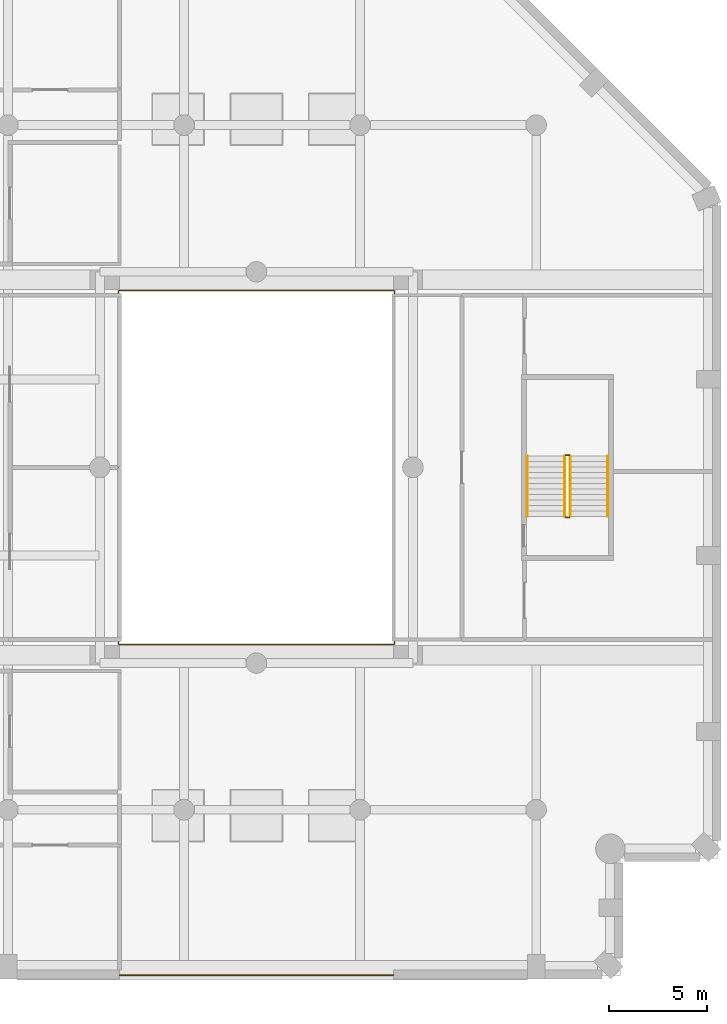
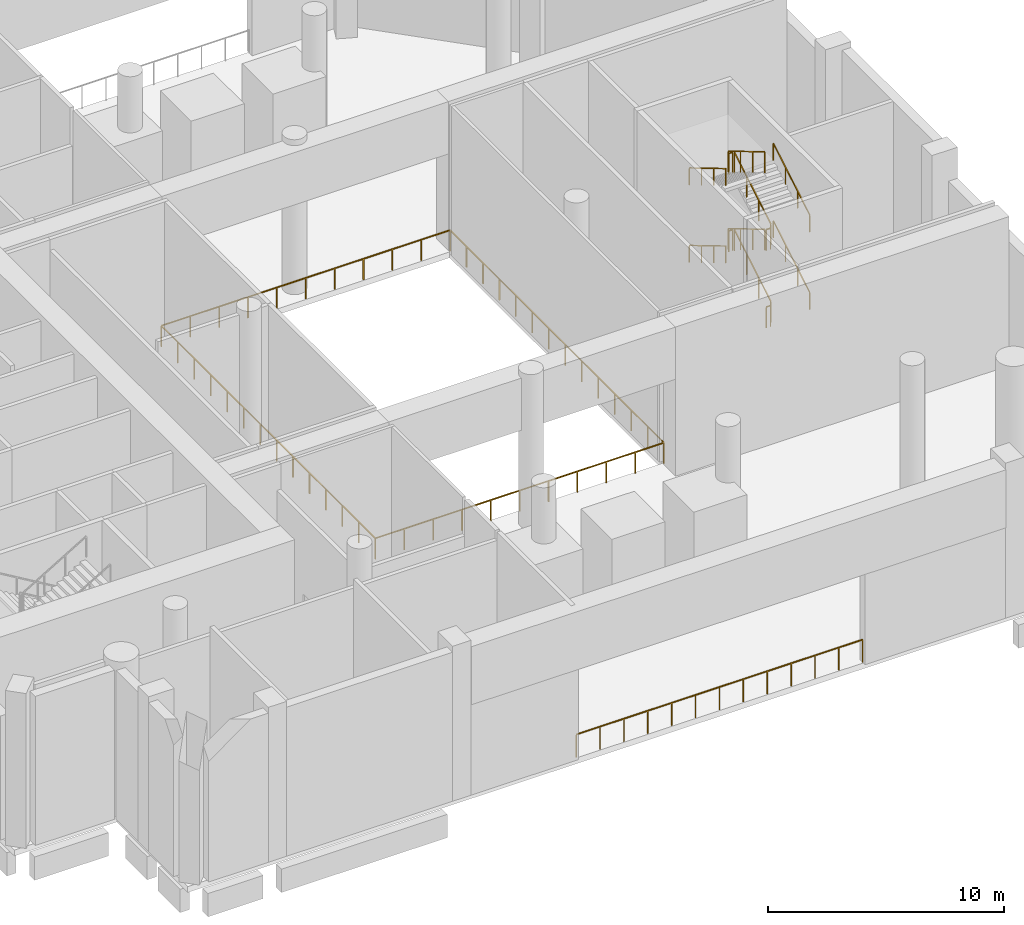
# One storey, part 12 of 14: 14 railings.
"""IFC4 building model written with IfcOpenShell, lengths in metres."""

from ifc_helpers import new_model, si_unit, direction, frame, origin, origin_2d, place, context, subcontext, project, spatial, rectangle, extrude, material, type_object, element, save


model = new_model("IFC4")

# Units and contexts
model_context = context("Model", 3, precision=1e-05, world=origin(), true_north=direction((0.0, 1.0)))
body_context = subcontext(model_context, "Body", "Model", "MODEL_VIEW")
ifc_project = project(units=[si_unit("LENGTHUNIT", "METRE"), si_unit("AREAUNIT", "SQUARE_METRE"), si_unit("VOLUMEUNIT", "CUBIC_METRE"), si_unit("PLANEANGLEUNIT", "RADIAN"), si_unit("MASSUNIT", "GRAM", prefix="KILO")], contexts=[model_context])

# Site, building, storey
site_placement = place(None, origin())
site = spatial("IfcSite", under=ifc_project, at=site_placement, CompositionType="ELEMENT")
building_placement = place(site_placement, origin())
building = spatial("IfcBuilding", under=site, at=building_placement, Name="Cypress Arch Tower", CompositionType="ELEMENT")
storey_placement = place(building_placement, frame((0.0, 0.0, 152.5)))
storey = spatial("IfcBuildingStorey", under=building, at=storey_placement, Name="L33", CompositionType="ELEMENT", Elevation=152.5)

# Railings
ifc_material_1 = material(Name="Stainless steel posts and handrail, laminated glass infill", Category="steel")
railing_type_1 = type_object("IfcRailingType", Name="Atrium guard GR1100A", PredefinedType="GUARDRAIL", material=ifc_material_1)
railing_1_placement = place(storey_placement, frame((8.050048828125, -9.050048828125, 0.0)))
element("IfcRailing", 1, at=railing_1_placement, inside=storey, type_object=railing_type_1, Name="Atrium guard L33", PredefinedType="GUARDRAIL", context=body_context, shape_type="SweptSolid", body=[
    extrude(rectangle(XDim=0.050048828125, YDim=0.050048828125, at=origin_2d()), frame((0.0, 0.0, 1.0751953125), z_axis=(-1.0, 0.0, 0.0), x_axis=(0.0, -1.0, 0.0)), (0.0, 0.0, 1.0), 14.10009765625),
    extrude(rectangle(XDim=0.050048828125, YDim=0.050048828125, at=origin_2d()), frame((-14.10009765625, 0.0, 1.0751953125), z_axis=(0.0, 1.0, 0.0), x_axis=(-1.0, 0.0, 0.0)), (0.0, 0.0, 1.0), 18.10009765625),
    extrude(rectangle(XDim=0.050048828125, YDim=0.050048828125, at=origin_2d()), frame((-14.10009765625, 18.10009765625, 1.0751953125), z_axis=(1.0, 0.0, 0.0), x_axis=(0.0, 1.0, 0.0)), (0.0, 0.0, 1.0), 14.10009765625),
    extrude(rectangle(XDim=0.050048828125, YDim=0.050048828125, at=origin_2d()), frame((0.0, 18.10009765625, 1.0751953125), z_axis=(0.0, -1.0, 0.0), x_axis=(1.0, 0.0, 0.0)), (0.0, 0.0, 1.0), 18.10009765625),
    extrude(rectangle(XDim=0.050048828125, YDim=0.050048828125, at=origin_2d()), origin(), (0.0, 0.0, 1.0), 1.050048828125),
    extrude(rectangle(XDim=0.050048828125, YDim=0.050048828125, at=origin_2d()), frame((-1.409912109375, 0.0, 0.0)), (0.0, 0.0, 1.0), 1.050048828125),
    extrude(rectangle(XDim=0.050048828125, YDim=0.050048828125, at=origin_2d()), frame((-2.820068359375, 0.0, 0.0)), (0.0, 0.0, 1.0), 1.050048828125),
    extrude(rectangle(XDim=0.050048828125, YDim=0.050048828125, at=origin_2d()), frame((-4.22998046875, 0.0, 0.0)), (0.0, 0.0, 1.0), 1.050048828125),
    extrude(rectangle(XDim=0.050048828125, YDim=0.050048828125, at=origin_2d()), frame((-5.64013671875, 0.0, 0.0)), (0.0, 0.0, 1.0), 1.050048828125),
    extrude(rectangle(XDim=0.050048828125, YDim=0.050048828125, at=origin_2d()), frame((-7.050048828125, 0.0, 0.0)), (0.0, 0.0, 1.0), 1.050048828125),
    extrude(rectangle(XDim=0.050048828125, YDim=0.050048828125, at=origin_2d()), frame((-8.4599609375, 0.0, 0.0)), (0.0, 0.0, 1.0), 1.050048828125),
    extrude(rectangle(XDim=0.050048828125, YDim=0.050048828125, at=origin_2d()), frame((-9.8701171875, 0.0, 0.0)), (0.0, 0.0, 1.0), 1.050048828125),
    extrude(rectangle(XDim=0.050048828125, YDim=0.050048828125, at=origin_2d()), frame((-11.280029296875, 0.0, 0.0)), (0.0, 0.0, 1.0), 1.050048828125),
    extrude(rectangle(XDim=0.050048828125, YDim=0.050048828125, at=origin_2d()), frame((-12.690185546875, 0.0, 0.0)), (0.0, 0.0, 1.0), 1.050048828125),
    extrude(rectangle(XDim=0.050048828125, YDim=0.050048828125, at=origin_2d()), frame((-14.10009765625, 0.0, 0.0)), (0.0, 0.0, 1.0), 1.050048828125),
    extrude(rectangle(XDim=0.050048828125, YDim=0.050048828125, at=origin_2d()), frame((-14.10009765625, 1.392333984375, 0.0)), (0.0, 0.0, 1.0), 1.050048828125),
    extrude(rectangle(XDim=0.050048828125, YDim=0.050048828125, at=origin_2d()), frame((-14.10009765625, 2.78466796875, 0.0)), (0.0, 0.0, 1.0), 1.050048828125),
    extrude(rectangle(XDim=0.050048828125, YDim=0.050048828125, at=origin_2d()), frame((-14.10009765625, 4.177001953125, 0.0)), (0.0, 0.0, 1.0), 1.050048828125),
    extrude(rectangle(XDim=0.050048828125, YDim=0.050048828125, at=origin_2d()), frame((-14.10009765625, 5.5693359375, 0.0)), (0.0, 0.0, 1.0), 1.050048828125),
    extrude(rectangle(XDim=0.050048828125, YDim=0.050048828125, at=origin_2d()), frame((-14.10009765625, 6.961669921875, 0.0)), (0.0, 0.0, 1.0), 1.050048828125),
    extrude(rectangle(XDim=0.050048828125, YDim=0.050048828125, at=origin_2d()), frame((-14.10009765625, 8.35400390625, 0.0)), (0.0, 0.0, 1.0), 1.050048828125),
    extrude(rectangle(XDim=0.050048828125, YDim=0.050048828125, at=origin_2d()), frame((-14.10009765625, 9.74609375, 0.0)), (0.0, 0.0, 1.0), 1.050048828125),
    extrude(rectangle(XDim=0.050048828125, YDim=0.050048828125, at=origin_2d()), frame((-14.10009765625, 11.138427734375, 0.0)), (0.0, 0.0, 1.0), 1.050048828125),
    extrude(rectangle(XDim=0.050048828125, YDim=0.050048828125, at=origin_2d()), frame((-14.10009765625, 12.53076171875, 0.0)), (0.0, 0.0, 1.0), 1.050048828125),
    extrude(rectangle(XDim=0.050048828125, YDim=0.050048828125, at=origin_2d()), frame((-14.10009765625, 13.923095703125, 0.0)), (0.0, 0.0, 1.0), 1.050048828125),
    extrude(rectangle(XDim=0.050048828125, YDim=0.050048828125, at=origin_2d()), frame((-14.10009765625, 15.3154296875, 0.0)), (0.0, 0.0, 1.0), 1.050048828125),
    extrude(rectangle(XDim=0.050048828125, YDim=0.050048828125, at=origin_2d()), frame((-14.10009765625, 16.707763671875, 0.0)), (0.0, 0.0, 1.0), 1.050048828125),
    extrude(rectangle(XDim=0.050048828125, YDim=0.050048828125, at=origin_2d()), frame((-14.10009765625, 18.10009765625, 0.0)), (0.0, 0.0, 1.0), 1.050048828125),
    extrude(rectangle(XDim=0.050048828125, YDim=0.050048828125, at=origin_2d()), frame((-12.690185546875, 18.10009765625, 0.0)), (0.0, 0.0, 1.0), 1.050048828125),
    extrude(rectangle(XDim=0.050048828125, YDim=0.050048828125, at=origin_2d()), frame((-11.280029296875, 18.10009765625, 0.0)), (0.0, 0.0, 1.0), 1.050048828125),
    extrude(rectangle(XDim=0.050048828125, YDim=0.050048828125, at=origin_2d()), frame((-9.8701171875, 18.10009765625, 0.0)), (0.0, 0.0, 1.0), 1.050048828125),
    extrude(rectangle(XDim=0.050048828125, YDim=0.050048828125, at=origin_2d()), frame((-8.4599609375, 18.10009765625, 0.0)), (0.0, 0.0, 1.0), 1.050048828125),
    extrude(rectangle(XDim=0.050048828125, YDim=0.050048828125, at=origin_2d()), frame((-7.050048828125, 18.10009765625, 0.0)), (0.0, 0.0, 1.0), 1.050048828125),
    extrude(rectangle(XDim=0.050048828125, YDim=0.050048828125, at=origin_2d()), frame((-5.64013671875, 18.10009765625, 0.0)), (0.0, 0.0, 1.0), 1.050048828125),
    extrude(rectangle(XDim=0.050048828125, YDim=0.050048828125, at=origin_2d()), frame((-4.22998046875, 18.10009765625, 0.0)), (0.0, 0.0, 1.0), 1.050048828125),
    extrude(rectangle(XDim=0.050048828125, YDim=0.050048828125, at=origin_2d()), frame((-2.820068359375, 18.10009765625, 0.0)), (0.0, 0.0, 1.0), 1.050048828125),
    extrude(rectangle(XDim=0.050048828125, YDim=0.050048828125, at=origin_2d()), frame((-1.409912109375, 18.10009765625, 0.0)), (0.0, 0.0, 1.0), 1.050048828125),
    extrude(rectangle(XDim=0.050048828125, YDim=0.050048828125, at=origin_2d()), frame((0.0, 18.10009765625, 0.0)), (0.0, 0.0, 1.0), 1.050048828125),
    extrude(rectangle(XDim=0.050048828125, YDim=0.050048828125, at=origin_2d()), frame((0.0, 16.707763671875, 0.0)), (0.0, 0.0, 1.0), 1.050048828125),
    extrude(rectangle(XDim=0.050048828125, YDim=0.050048828125, at=origin_2d()), frame((0.0, 15.3154296875, 0.0)), (0.0, 0.0, 1.0), 1.050048828125),
    extrude(rectangle(XDim=0.050048828125, YDim=0.050048828125, at=origin_2d()), frame((0.0, 13.923095703125, 0.0)), (0.0, 0.0, 1.0), 1.050048828125),
    extrude(rectangle(XDim=0.050048828125, YDim=0.050048828125, at=origin_2d()), frame((0.0, 12.53076171875, 0.0)), (0.0, 0.0, 1.0), 1.050048828125),
    extrude(rectangle(XDim=0.050048828125, YDim=0.050048828125, at=origin_2d()), frame((0.0, 11.138427734375, 0.0)), (0.0, 0.0, 1.0), 1.050048828125),
    extrude(rectangle(XDim=0.050048828125, YDim=0.050048828125, at=origin_2d()), frame((0.0, 9.74609375, 0.0)), (0.0, 0.0, 1.0), 1.050048828125),
    extrude(rectangle(XDim=0.050048828125, YDim=0.050048828125, at=origin_2d()), frame((0.0, 8.35400390625, 0.0)), (0.0, 0.0, 1.0), 1.050048828125),
    extrude(rectangle(XDim=0.050048828125, YDim=0.050048828125, at=origin_2d()), frame((0.0, 6.961669921875, 0.0)), (0.0, 0.0, 1.0), 1.050048828125),
    extrude(rectangle(XDim=0.050048828125, YDim=0.050048828125, at=origin_2d()), frame((0.0, 5.5693359375, 0.0)), (0.0, 0.0, 1.0), 1.050048828125),
    extrude(rectangle(XDim=0.050048828125, YDim=0.050048828125, at=origin_2d()), frame((0.0, 4.177001953125, 0.0)), (0.0, 0.0, 1.0), 1.050048828125),
    extrude(rectangle(XDim=0.050048828125, YDim=0.050048828125, at=origin_2d()), frame((0.0, 2.78466796875, 0.0)), (0.0, 0.0, 1.0), 1.050048828125),
    extrude(rectangle(XDim=0.050048828125, YDim=0.050048828125, at=origin_2d()), frame((0.0, 1.392333984375, 0.0)), (0.0, 0.0, 1.0), 1.050048828125),
])
ifc_material_2 = material(Name="Powder-coated steel posts and rods, 100 mm clear between rods", Category="steel")
railing_type_2 = type_object("IfcRailingType", Name="Slot guard GR1200", PredefinedType="GUARDRAIL", material=ifc_material_2)
railing_2_placement = place(storey_placement, frame((-6.0, -25.949951171875, 0.0)))
element("IfcRailing", 2, at=railing_2_placement, inside=storey, type_object=railing_type_2, Name="Slot guard L33 S", PredefinedType="GUARDRAIL", context=body_context, shape_type="SweptSolid", body=[
    extrude(rectangle(XDim=0.050048828125, YDim=0.050048828125, at=origin_2d()), frame((0.0, 0.0, 1.1748046875), z_axis=(1.0, 0.0, 0.0), x_axis=(0.0, 1.0, 0.0)), (0.0, 0.0, 1.0), 14.0),
    extrude(rectangle(XDim=0.0400390625, YDim=0.0400390625, at=origin_2d()), origin(), (0.0, 0.0, 1.0), 1.14990234375),
    extrude(rectangle(XDim=0.0400390625, YDim=0.0400390625, at=origin_2d()), frame((1.166748046875, 0.0, 0.0)), (0.0, 0.0, 1.0), 1.14990234375),
    extrude(rectangle(XDim=0.0400390625, YDim=0.0400390625, at=origin_2d()), frame((2.333251953125, 0.0, 0.0)), (0.0, 0.0, 1.0), 1.14990234375),
    extrude(rectangle(XDim=0.0400390625, YDim=0.0400390625, at=origin_2d()), frame((3.5, 0.0, 0.0)), (0.0, 0.0, 1.0), 1.14990234375),
    extrude(rectangle(XDim=0.0400390625, YDim=0.0400390625, at=origin_2d()), frame((4.666748046875, 0.0, 0.0)), (0.0, 0.0, 1.0), 1.14990234375),
    extrude(rectangle(XDim=0.0400390625, YDim=0.0400390625, at=origin_2d()), frame((5.833251953125, 0.0, 0.0)), (0.0, 0.0, 1.0), 1.14990234375),
    extrude(rectangle(XDim=0.0400390625, YDim=0.0400390625, at=origin_2d()), frame((7.0, 0.0, 0.0)), (0.0, 0.0, 1.0), 1.14990234375),
    extrude(rectangle(XDim=0.0400390625, YDim=0.0400390625, at=origin_2d()), frame((8.166748046875, 0.0, 0.0)), (0.0, 0.0, 1.0), 1.14990234375),
    extrude(rectangle(XDim=0.0400390625, YDim=0.0400390625, at=origin_2d()), frame((9.333251953125, 0.0, 0.0)), (0.0, 0.0, 1.0), 1.14990234375),
    extrude(rectangle(XDim=0.0400390625, YDim=0.0400390625, at=origin_2d()), frame((10.5, 0.0, 0.0)), (0.0, 0.0, 1.0), 1.14990234375),
    extrude(rectangle(XDim=0.0400390625, YDim=0.0400390625, at=origin_2d()), frame((11.666748046875, 0.0, 0.0)), (0.0, 0.0, 1.0), 1.14990234375),
    extrude(rectangle(XDim=0.0400390625, YDim=0.0400390625, at=origin_2d()), frame((12.833251953125, 0.0, 0.0)), (0.0, 0.0, 1.0), 1.14990234375),
    extrude(rectangle(XDim=0.0400390625, YDim=0.0400390625, at=origin_2d()), frame((14.0, 0.0, 0.0)), (0.0, 0.0, 1.0), 1.14990234375),
])
ifc_material_3 = material(Name="Black powder-coated steel square bar 48 mm", Category="steel")
railing_type_3 = type_object("IfcRailingType", Name="Stair handrail HR1", PredefinedType="HANDRAIL", material=ifc_material_3)
railing_3_placement = place(storey_placement, frame((18.949951171875, -2.5, 0.166748046875)))
element("IfcRailing", 3, at=railing_3_placement, inside=storey, type_object=railing_type_3, Name="L33 C stair handrail 1", PredefinedType="HANDRAIL", context=body_context, shape_type="SweptSolid", body=[
    extrude(rectangle(XDim=0.048095703125, YDim=0.048095703125, at=origin_2d()), frame((0.0, 0.0, 0.8759765625), z_axis=(0.0, 0.859308565015, 0.511457515432), x_axis=(-1.0, 0.0, 0.0)), (0.0, 0.0, 1.0), 3.58447265625),
    extrude(rectangle(XDim=0.0419921875, YDim=0.0419921875, at=origin_2d()), origin(), (0.0, 0.0, 1.0), 0.851806640625),
    extrude(rectangle(XDim=0.0419921875, YDim=0.0419921875, at=origin_2d()), frame((0.0, 1.026611328125, 0.611083984375)), (0.0, 0.0, 1.0), 0.851806640625),
    extrude(rectangle(XDim=0.0419921875, YDim=0.0419921875, at=origin_2d()), frame((0.0, 2.053466796875, 1.22216796875)), (0.0, 0.0, 1.0), 0.851806640625),
    extrude(rectangle(XDim=0.0419921875, YDim=0.0419921875, at=origin_2d()), frame((0.0, 3.080078125, 1.833251953125)), (0.0, 0.0, 1.0), 0.851806640625),
])
railing_4_placement = place(storey_placement, frame((14.85009765625, 0.580078125, 2.166748046875)))
element("IfcRailing", 4, at=railing_4_placement, inside=storey, type_object=railing_type_3, Name="L33 C stair handrail 2", PredefinedType="HANDRAIL", context=body_context, shape_type="SweptSolid", body=[
    extrude(rectangle(XDim=0.048095703125, YDim=0.048095703125, at=origin_2d()), frame((0.0, 0.0, 0.8759765625), z_axis=(0.0, -0.859308565015, 0.511457515432), x_axis=(1.0, 0.0, 0.0)), (0.0, 0.0, 1.0), 3.58447265625),
    extrude(rectangle(XDim=0.0419921875, YDim=0.0419921875, at=origin_2d()), origin(), (0.0, 0.0, 1.0), 0.851806640625),
    extrude(rectangle(XDim=0.0419921875, YDim=0.0419921875, at=origin_2d()), frame((0.0, -1.026611328125, 0.611083984375)), (0.0, 0.0, 1.0), 0.851806640625),
    extrude(rectangle(XDim=0.0419921875, YDim=0.0419921875, at=origin_2d()), frame((0.0, -2.053466796875, 1.22216796875)), (0.0, 0.0, 1.0), 0.851806640625),
    extrude(rectangle(XDim=0.0419921875, YDim=0.0419921875, at=origin_2d()), frame((0.0, -3.080078125, 1.833251953125)), (0.0, 0.0, 1.0), 0.851806640625),
])
railing_5_placement = place(storey_placement, frame((18.949951171875, -2.5, 4.166748046875)))
element("IfcRailing", 5, at=railing_5_placement, inside=storey, type_object=railing_type_3, Name="L33 C stair handrail 3", PredefinedType="HANDRAIL", context=body_context, shape_type="SweptSolid", body=[
    extrude(rectangle(XDim=0.048095703125, YDim=0.048095703125, at=origin_2d()), frame((0.0, 0.0, 0.8759765625), z_axis=(0.0, 0.859308565015, 0.511457515432), x_axis=(-1.0, 0.0, 0.0)), (0.0, 0.0, 1.0), 3.58447265625),
    extrude(rectangle(XDim=0.0419921875, YDim=0.0419921875, at=origin_2d()), origin(), (0.0, 0.0, 1.0), 0.851806640625),
    extrude(rectangle(XDim=0.0419921875, YDim=0.0419921875, at=origin_2d()), frame((0.0, 1.026611328125, 0.611083984375)), (0.0, 0.0, 1.0), 0.851806640625),
    extrude(rectangle(XDim=0.0419921875, YDim=0.0419921875, at=origin_2d()), frame((0.0, 2.053466796875, 1.22216796875)), (0.0, 0.0, 1.0), 0.851806640625),
    extrude(rectangle(XDim=0.0419921875, YDim=0.0419921875, at=origin_2d()), frame((0.0, 3.080078125, 1.833251953125)), (0.0, 0.0, 1.0), 0.851806640625),
])
railing_6_placement = place(storey_placement, frame((14.85009765625, 0.580078125, 6.166748046875)))
element("IfcRailing", 6, at=railing_6_placement, inside=storey, type_object=railing_type_3, Name="L33 C stair handrail 4", PredefinedType="HANDRAIL", context=body_context, shape_type="SweptSolid", body=[
    extrude(rectangle(XDim=0.048095703125, YDim=0.048095703125, at=origin_2d()), frame((0.0, 0.0, 0.8759765625), z_axis=(0.0, -0.859308565015, 0.511457515432), x_axis=(1.0, 0.0, 0.0)), (0.0, 0.0, 1.0), 3.58447265625),
    extrude(rectangle(XDim=0.0419921875, YDim=0.0419921875, at=origin_2d()), origin(), (0.0, 0.0, 1.0), 0.851806640625),
    extrude(rectangle(XDim=0.0419921875, YDim=0.0419921875, at=origin_2d()), frame((0.0, -1.026611328125, 0.611083984375)), (0.0, 0.0, 1.0), 0.851806640625),
    extrude(rectangle(XDim=0.0419921875, YDim=0.0419921875, at=origin_2d()), frame((0.0, -2.053466796875, 1.22216796875)), (0.0, 0.0, 1.0), 0.851806640625),
    extrude(rectangle(XDim=0.0419921875, YDim=0.0419921875, at=origin_2d()), frame((0.0, -3.080078125, 1.833251953125)), (0.0, 0.0, 1.0), 0.851806640625),
])
ifc_material_4 = material(Name="Black powder-coated steel balusters", Category="steel")
railing_type_4 = type_object("IfcRailingType", Name="Stair well guard G1", PredefinedType="GUARDRAIL", material=ifc_material_4)
railing_7_placement = place(storey_placement, frame((17.050048828125, -2.5, 0.166748046875)))
element("IfcRailing", 7, at=railing_7_placement, inside=storey, type_object=railing_type_4, Name="L33 C stair guard 1", PredefinedType="GUARDRAIL", context=body_context, shape_type="SweptSolid", body=[
    extrude(rectangle(XDim=0.048095703125, YDim=0.048095703125, at=origin_2d()), frame((0.0, 0.0, 1.076171875), z_axis=(0.0, 0.859308565015, 0.511457515432), x_axis=(-1.0, 0.0, 0.0)), (0.0, 0.0, 1.0), 3.58447265625),
    extrude(rectangle(XDim=0.0419921875, YDim=0.0419921875, at=origin_2d()), origin(), (0.0, 0.0, 1.0), 1.052001953125),
    extrude(rectangle(XDim=0.0419921875, YDim=0.0419921875, at=origin_2d()), frame((0.0, 1.026611328125, 0.611083984375)), (0.0, 0.0, 1.0), 1.052001953125),
    extrude(rectangle(XDim=0.0419921875, YDim=0.0419921875, at=origin_2d()), frame((0.0, 2.053466796875, 1.22216796875)), (0.0, 0.0, 1.0), 1.052001953125),
    extrude(rectangle(XDim=0.0419921875, YDim=0.0419921875, at=origin_2d()), frame((0.0, 3.080078125, 1.833251953125)), (0.0, 0.0, 1.0), 1.052001953125),
])
railing_8_placement = place(storey_placement, frame((17.0, 0.6298828125, 2.0)))
element("IfcRailing", 8, at=railing_8_placement, inside=storey, type_object=railing_type_4, Name="L33 C stair guard 2", PredefinedType="GUARDRAIL", context=body_context, shape_type="SweptSolid", body=[
    extrude(rectangle(XDim=0.048095703125, YDim=0.048095703125, at=origin_2d()), frame((0.0, 0.0, 1.076171875), z_axis=(-1.0, 0.0, 0.0), x_axis=(0.0, -1.0, 0.0)), (0.0, 0.0, 1.0), 0.199951171875),
    extrude(rectangle(XDim=0.0419921875, YDim=0.0419921875, at=origin_2d()), origin(), (0.0, 0.0, 1.0), 1.052001953125),
    extrude(rectangle(XDim=0.0419921875, YDim=0.0419921875, at=origin_2d()), frame((-0.199951171875, 0.0, 0.0)), (0.0, 0.0, 1.0), 1.052001953125),
])
railing_9_placement = place(storey_placement, frame((16.75, 0.580078125, 2.166748046875)))
element("IfcRailing", 9, at=railing_9_placement, inside=storey, type_object=railing_type_4, Name="L33 C stair guard 3", PredefinedType="GUARDRAIL", context=body_context, shape_type="SweptSolid", body=[
    extrude(rectangle(XDim=0.048095703125, YDim=0.048095703125, at=origin_2d()), frame((0.0, 0.0, 1.076171875), z_axis=(0.0, -0.859308565015, 0.511457515432), x_axis=(1.0, 0.0, 0.0)), (0.0, 0.0, 1.0), 3.58447265625),
    extrude(rectangle(XDim=0.0419921875, YDim=0.0419921875, at=origin_2d()), origin(), (0.0, 0.0, 1.0), 1.052001953125),
    extrude(rectangle(XDim=0.0419921875, YDim=0.0419921875, at=origin_2d()), frame((0.0, -1.026611328125, 0.611083984375)), (0.0, 0.0, 1.0), 1.052001953125),
    extrude(rectangle(XDim=0.0419921875, YDim=0.0419921875, at=origin_2d()), frame((0.0, -2.053466796875, 1.22216796875)), (0.0, 0.0, 1.0), 1.052001953125),
    extrude(rectangle(XDim=0.0419921875, YDim=0.0419921875, at=origin_2d()), frame((0.0, -3.080078125, 1.833251953125)), (0.0, 0.0, 1.0), 1.052001953125),
])
railing_10_placement = place(storey_placement, frame((17.0, -2.550048828125, 4.0)))
element("IfcRailing", 10, at=railing_10_placement, inside=storey, type_object=railing_type_4, Name="L33 C stair guard 4", PredefinedType="GUARDRAIL", context=body_context, shape_type="SweptSolid", body=[
    extrude(rectangle(XDim=0.048095703125, YDim=0.048095703125, at=origin_2d()), frame((0.0, 0.0, 1.076171875), z_axis=(-1.0, 0.0, 0.0), x_axis=(0.0, -1.0, 0.0)), (0.0, 0.0, 1.0), 0.199951171875),
    extrude(rectangle(XDim=0.0419921875, YDim=0.0419921875, at=origin_2d()), origin(), (0.0, 0.0, 1.0), 1.052001953125),
    extrude(rectangle(XDim=0.0419921875, YDim=0.0419921875, at=origin_2d()), frame((-0.199951171875, 0.0, 0.0)), (0.0, 0.0, 1.0), 1.052001953125),
])
railing_11_placement = place(storey_placement, frame((17.050048828125, -2.5, 4.166748046875)))
element("IfcRailing", 11, at=railing_11_placement, inside=storey, type_object=railing_type_4, Name="L33 C stair guard 5", PredefinedType="GUARDRAIL", context=body_context, shape_type="SweptSolid", body=[
    extrude(rectangle(XDim=0.048095703125, YDim=0.048095703125, at=origin_2d()), frame((0.0, 0.0, 1.076171875), z_axis=(0.0, 0.859308565015, 0.511457515432), x_axis=(-1.0, 0.0, 0.0)), (0.0, 0.0, 1.0), 3.58447265625),
    extrude(rectangle(XDim=0.0419921875, YDim=0.0419921875, at=origin_2d()), origin(), (0.0, 0.0, 1.0), 1.052001953125),
    extrude(rectangle(XDim=0.0419921875, YDim=0.0419921875, at=origin_2d()), frame((0.0, 1.026611328125, 0.611083984375)), (0.0, 0.0, 1.0), 1.052001953125),
    extrude(rectangle(XDim=0.0419921875, YDim=0.0419921875, at=origin_2d()), frame((0.0, 2.053466796875, 1.22216796875)), (0.0, 0.0, 1.0), 1.052001953125),
    extrude(rectangle(XDim=0.0419921875, YDim=0.0419921875, at=origin_2d()), frame((0.0, 3.080078125, 1.833251953125)), (0.0, 0.0, 1.0), 1.052001953125),
])
railing_12_placement = place(storey_placement, frame((17.0, 0.6298828125, 6.0)))
element("IfcRailing", 12, at=railing_12_placement, inside=storey, type_object=railing_type_4, Name="L33 C stair guard 6", PredefinedType="GUARDRAIL", context=body_context, shape_type="SweptSolid", body=[
    extrude(rectangle(XDim=0.048095703125, YDim=0.048095703125, at=origin_2d()), frame((0.0, 0.0, 1.076171875), z_axis=(-1.0, 0.0, 0.0), x_axis=(0.0, -1.0, 0.0)), (0.0, 0.0, 1.0), 0.199951171875),
    extrude(rectangle(XDim=0.0419921875, YDim=0.0419921875, at=origin_2d()), origin(), (0.0, 0.0, 1.0), 1.052001953125),
    extrude(rectangle(XDim=0.0419921875, YDim=0.0419921875, at=origin_2d()), frame((-0.199951171875, 0.0, 0.0)), (0.0, 0.0, 1.0), 1.052001953125),
])
railing_13_placement = place(storey_placement, frame((16.75, 0.580078125, 6.166748046875)))
element("IfcRailing", 13, at=railing_13_placement, inside=storey, type_object=railing_type_4, Name="L33 C stair guard 7", PredefinedType="GUARDRAIL", context=body_context, shape_type="SweptSolid", body=[
    extrude(rectangle(XDim=0.048095703125, YDim=0.048095703125, at=origin_2d()), frame((0.0, 0.0, 1.076171875), z_axis=(0.0, -0.859308565015, 0.511457515432), x_axis=(1.0, 0.0, 0.0)), (0.0, 0.0, 1.0), 3.58447265625),
    extrude(rectangle(XDim=0.0419921875, YDim=0.0419921875, at=origin_2d()), origin(), (0.0, 0.0, 1.0), 1.052001953125),
    extrude(rectangle(XDim=0.0419921875, YDim=0.0419921875, at=origin_2d()), frame((0.0, -1.026611328125, 0.611083984375)), (0.0, 0.0, 1.0), 1.052001953125),
    extrude(rectangle(XDim=0.0419921875, YDim=0.0419921875, at=origin_2d()), frame((0.0, -2.053466796875, 1.22216796875)), (0.0, 0.0, 1.0), 1.052001953125),
    extrude(rectangle(XDim=0.0419921875, YDim=0.0419921875, at=origin_2d()), frame((0.0, -3.080078125, 1.833251953125)), (0.0, 0.0, 1.0), 1.052001953125),
])
railing_14_placement = place(storey_placement, frame((17.0, -2.550048828125, 0.0)))
element("IfcRailing", 14, at=railing_14_placement, inside=storey, type_object=railing_type_4, Name="L33 C stair guard 8", PredefinedType="GUARDRAIL", context=body_context, shape_type="SweptSolid", body=[
    extrude(rectangle(XDim=0.048095703125, YDim=0.048095703125, at=origin_2d()), frame((0.0, 0.0, 1.076171875), z_axis=(-1.0, 0.0, 0.0), x_axis=(0.0, -1.0, 0.0)), (0.0, 0.0, 1.0), 0.199951171875),
    extrude(rectangle(XDim=0.0419921875, YDim=0.0419921875, at=origin_2d()), origin(), (0.0, 0.0, 1.0), 1.052001953125),
    extrude(rectangle(XDim=0.0419921875, YDim=0.0419921875, at=origin_2d()), frame((-0.199951171875, 0.0, 0.0)), (0.0, 0.0, 1.0), 1.052001953125),
])

save(model, "model.ifc")
